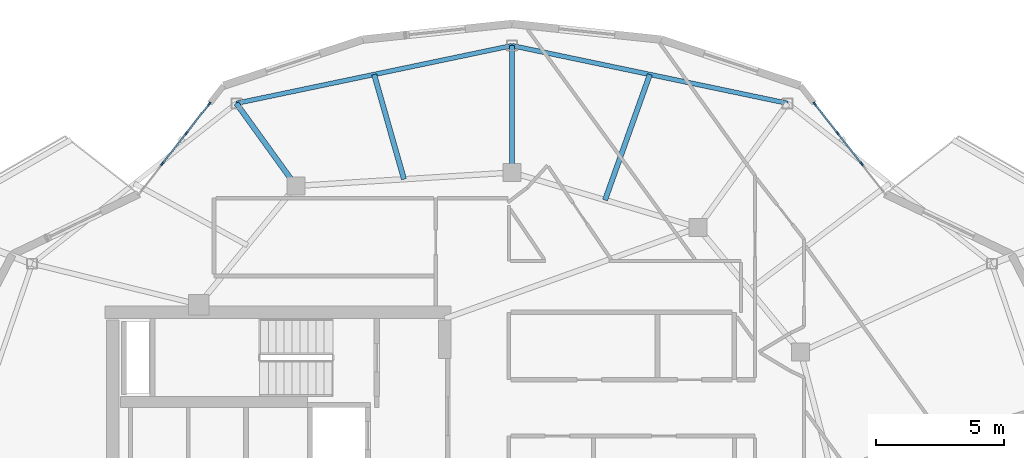
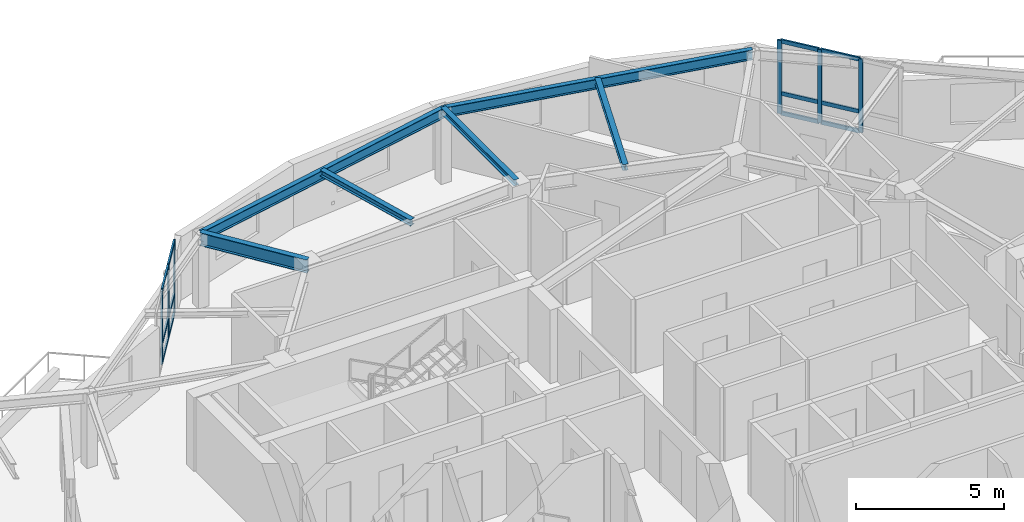
# One storey, part 5 of 14: 18 members, 6 beams, 2 elements without a shape of their own.
"""IFC4 building model written with IfcOpenShell, lengths in metres."""

from ifc_helpers import new_model, si_unit, direction, frame, origin, origin_2d, place, context, subcontext, project, spatial, rectangle, i_section, extrude, material, layer, layer_set, material_profile, profile_set, type_object, element, aggregate, save


model = new_model("IFC4")

# Units and contexts
model_context = context("Model", 3, precision=1e-05, world=origin(), true_north=direction((0.0, 1.0)))
body_context = subcontext(model_context, "Body", "Model", "MODEL_VIEW")
ifc_project = project(units=[si_unit("LENGTHUNIT", "METRE"), si_unit("AREAUNIT", "SQUARE_METRE"), si_unit("VOLUMEUNIT", "CUBIC_METRE"), si_unit("PLANEANGLEUNIT", "RADIAN"), si_unit("MASSUNIT", "GRAM", prefix="KILO")], contexts=[model_context])

# Site, building, storey
site_placement = place(None, origin())
site = spatial("IfcSite", under=ifc_project, at=site_placement, CompositionType="ELEMENT")
building_placement = place(site_placement, origin())
building = spatial("IfcBuilding", under=site, at=building_placement, Name="Kolvaren Gate Tower and Convention Centre", CompositionType="ELEMENT")
storey_placement = place(building_placement, frame((0.0, 0.0, 245.89990234375)))
storey = spatial("IfcBuildingStorey", under=building, at=storey_placement, Name="L66", CompositionType="ELEMENT", Elevation=245.89990234375)

# Curtain wall, members
ifc_material_1 = material(Name="Anodized Architectural Aluminium Alloy 6063-T6", Category="aluminium")
ifc_layer = layer(ifc_material_1, 0.159912109375)
ifc_layer_set = layer_set([ifc_layer], Name="Anodized Architectural Aluminium Alloy 6063-T6")
curtain_wall_type = type_object("IfcCurtainWallType", Name="CW-RES-UNIT", PredefinedType="NOTDEFINED", material=ifc_layer_set)
curtain_wall_1_placement = place(storey_placement, origin())
curtain_wall_1 = element("IfcCurtainWall", 1, at=curtain_wall_1_placement, inside=storey, type_object=curtain_wall_type, Name="Tower L66 Unitised Curtain Wall CW-RES-UNIT Bay 03", PredefinedType="NOTDEFINED")
ifc_material_profile_1 = material_profile(ifc_material_1, rectangle(XDim=0.06494140625, YDim=0.159912109375, at=origin_2d()), Name="CW-MEM-MUL-160")
ifc_profile_set_1 = profile_set([ifc_material_profile_1], Name="Anodized Architectural Aluminium Alloy 6063-T6")
member_type_1 = type_object("IfcMemberType", Name="CW-MEM-MUL-160", PredefinedType="MULLION", material=ifc_profile_set_1)
member_1_placement = place(storey_placement, frame((41.93505859375, 41.873046875, 0.0), z_axis=(0.0, 0.0, 1.0), x_axis=(0.787402801606, 0.616438827479, 0.0)))
member_1 = element("IfcMember", 2, at=member_1_placement, type_object=member_type_1, Name="CW-04 mullion 1", PredefinedType="MULLION", context=body_context, shape_type="SweptSolid", body=[
    extrude(rectangle(XDim=0.06494140625, YDim=0.159912109375, at=origin_2d()), origin(), (0.0, 0.0, 1.0), 3.030029296875),
])
member_2_placement = place(storey_placement, frame((42.835693359375, 40.72265625, 0.0), z_axis=(0.0, 0.0, 1.0), x_axis=(0.787402801606, 0.616438827479, 0.0)))
member_2 = element("IfcMember", 3, at=member_2_placement, type_object=member_type_1, Name="CW-04 mullion 2", PredefinedType="MULLION", context=body_context, shape_type="SweptSolid", body=[
    extrude(rectangle(XDim=0.06494140625, YDim=0.159912109375, at=origin_2d()), origin(), (0.0, 0.0, 1.0), 3.030029296875),
])
member_3_placement = place(storey_placement, frame((43.756591796875, 39.54638671875, 0.0), z_axis=(0.0, 0.0, 1.0), x_axis=(0.787402801606, 0.616438827479, 0.0)))
member_3 = element("IfcMember", 4, at=member_3_placement, type_object=member_type_1, Name="CW-04 mullion 3", PredefinedType="MULLION", context=body_context, shape_type="SweptSolid", body=[
    extrude(rectangle(XDim=0.06494140625, YDim=0.159912109375, at=origin_2d()), origin(), (0.0, 0.0, 1.0), 3.030029296875),
])

curtain_wall_2_placement = place(storey_placement, origin())
curtain_wall_2 = element("IfcCurtainWall", 5, at=curtain_wall_2_placement, inside=storey, type_object=curtain_wall_type, Name="Tower L66 Unitised Curtain Wall CW-RES-UNIT Bay 08", PredefinedType="NOTDEFINED")
member_4_placement = place(storey_placement, frame((16.493408203125, 39.54638671875, 0.0), z_axis=(0.0, 0.0, 1.0), x_axis=(-0.787413633564, 0.61642499112, 0.0)))
member_4 = element("IfcMember", 6, at=member_4_placement, type_object=member_type_1, Name="CW-04 mullion 2", PredefinedType="MULLION", context=body_context, shape_type="SweptSolid", body=[
    extrude(rectangle(XDim=0.06494140625, YDim=0.159912109375, at=origin_2d()), origin(), (0.0, 0.0, 1.0), 3.030029296875),
])
member_5_placement = place(storey_placement, frame((17.4140625, 40.72265625, 0.0), z_axis=(0.0, 0.0, 1.0), x_axis=(-0.787413633564, 0.61642499112, 0.0)))
member_5 = element("IfcMember", 7, at=member_5_placement, type_object=member_type_1, Name="CW-04 mullion 3", PredefinedType="MULLION", context=body_context, shape_type="SweptSolid", body=[
    extrude(rectangle(XDim=0.06494140625, YDim=0.159912109375, at=origin_2d()), origin(), (0.0, 0.0, 1.0), 3.030029296875),
])
member_6_placement = place(storey_placement, frame((18.31494140625, 41.873046875, 0.0), z_axis=(0.0, 0.0, 1.0), x_axis=(-0.787413633564, 0.61642499112, 0.0)))
member_6 = element("IfcMember", 8, at=member_6_placement, type_object=member_type_1, Name="CW-04 mullion 4", PredefinedType="MULLION", context=body_context, shape_type="SweptSolid", body=[
    extrude(rectangle(XDim=0.06494140625, YDim=0.159912109375, at=origin_2d()), origin(), (0.0, 0.0, 1.0), 3.030029296875),
])

# Member
ifc_material_profile_2 = material_profile(ifc_material_1, rectangle(XDim=0.06494140625, YDim=0.159912109375, at=origin_2d()), Name="CW-MEM-TRN-160")
ifc_profile_set_2 = profile_set([ifc_material_profile_2], Name="Anodized Architectural Aluminium Alloy 6063-T6")
member_type_2 = type_object("IfcMemberType", Name="CW-MEM-TRN-160", PredefinedType="USERDEFINED", material=ifc_profile_set_2)
member_7_placement = place(storey_placement, frame((41.955078125, 41.847412109375, 0.03271484375), z_axis=(0.616407273095, -0.787427503758, 0.0), x_axis=(0.787427503758, 0.616407273095, 0.0)))
member_7 = element("IfcMember", 9, at=member_7_placement, type_object=member_type_2, Name="CW-04 transom 1.1", ObjectType="TRANSOM", PredefinedType="USERDEFINED", context=body_context, shape_type="SweptSolid", body=[
    extrude(rectangle(XDim=0.06494140625, YDim=0.159912109375, at=origin_2d()), origin(), (0.0, 0.0, 1.0), 1.396240234375),
])

member_8_placement = place(storey_placement, frame((41.955078125, 41.847412109375, 0.85009765625), z_axis=(0.616407273095, -0.787427503758, 0.0), x_axis=(0.787427503758, 0.616407273095, 0.0)))
member_8 = element("IfcMember", 10, at=member_8_placement, type_object=member_type_2, Name="CW-04 transom 1.2", ObjectType="TRANSOM", PredefinedType="USERDEFINED", context=body_context, shape_type="SweptSolid", body=[
    extrude(rectangle(XDim=0.06494140625, YDim=0.159912109375, at=origin_2d()), origin(), (0.0, 0.0, 1.0), 1.396240234375),
])

member_9_placement = place(storey_placement, frame((41.955078125, 41.847412109375, 2.99755859375), z_axis=(0.616407273095, -0.787427503758, 0.0), x_axis=(0.787427503758, 0.616407273095, 0.0)))
member_9 = element("IfcMember", 11, at=member_9_placement, type_object=member_type_2, Name="CW-04 transom 1.3", ObjectType="TRANSOM", PredefinedType="USERDEFINED", context=body_context, shape_type="SweptSolid", body=[
    extrude(rectangle(XDim=0.06494140625, YDim=0.159912109375, at=origin_2d()), origin(), (0.0, 0.0, 1.0), 1.396240234375),
])

member_10_placement = place(storey_placement, frame((42.855712890625, 40.697021484375, 0.03271484375), z_axis=(0.616492534069, -0.787360753046, 0.0), x_axis=(0.787360753046, 0.616492534069, 0.0)))
member_10 = element("IfcMember", 12, at=member_10_placement, type_object=member_type_2, Name="CW-04 transom 2.1", ObjectType="TRANSOM", PredefinedType="USERDEFINED", context=body_context, shape_type="SweptSolid", body=[
    extrude(rectangle(XDim=0.06494140625, YDim=0.159912109375, at=origin_2d()), origin(), (0.0, 0.0, 1.0), 1.4287109375),
])

member_11_placement = place(storey_placement, frame((42.855712890625, 40.697021484375, 0.85009765625), z_axis=(0.616492534069, -0.787360753046, 0.0), x_axis=(0.787360753046, 0.616492534069, 0.0)))
member_11 = element("IfcMember", 13, at=member_11_placement, type_object=member_type_2, Name="CW-04 transom 2.2", ObjectType="TRANSOM", PredefinedType="USERDEFINED", context=body_context, shape_type="SweptSolid", body=[
    extrude(rectangle(XDim=0.06494140625, YDim=0.159912109375, at=origin_2d()), origin(), (0.0, 0.0, 1.0), 1.4287109375),
])

member_12_placement = place(storey_placement, frame((42.855712890625, 40.697021484375, 2.99755859375), z_axis=(0.616492534069, -0.787360753046, 0.0), x_axis=(0.787360753046, 0.616492534069, 0.0)))
member_12 = element("IfcMember", 14, at=member_12_placement, type_object=member_type_2, Name="CW-04 transom 2.3", ObjectType="TRANSOM", PredefinedType="USERDEFINED", context=body_context, shape_type="SweptSolid", body=[
    extrude(rectangle(XDim=0.06494140625, YDim=0.159912109375, at=origin_2d()), origin(), (0.0, 0.0, 1.0), 1.4287109375),
])

aggregate(curtain_wall_1, [member_1, member_2, member_3, member_7, member_8, member_9, member_10, member_11, member_12])

member_13_placement = place(storey_placement, frame((16.513427734375, 39.572021484375, 0.03271484375), z_axis=(0.616386589807, 0.787443694436, 0.0), x_axis=(-0.787443694436, 0.616386589807, 0.0)))
member_13 = element("IfcMember", 15, at=member_13_placement, type_object=member_type_2, Name="CW-04 transom 2.1", ObjectType="TRANSOM", PredefinedType="USERDEFINED", context=body_context, shape_type="SweptSolid", body=[
    extrude(rectangle(XDim=0.06494140625, YDim=0.159912109375, at=origin_2d()), origin(), (0.0, 0.0, 1.0), 1.4287109375),
])

member_14_placement = place(storey_placement, frame((16.513427734375, 39.572021484375, 0.85009765625), z_axis=(0.616386589807, 0.787443694436, 0.0), x_axis=(-0.787443694436, 0.616386589807, 0.0)))
member_14 = element("IfcMember", 16, at=member_14_placement, type_object=member_type_2, Name="CW-04 transom 2.2", ObjectType="TRANSOM", PredefinedType="USERDEFINED", context=body_context, shape_type="SweptSolid", body=[
    extrude(rectangle(XDim=0.06494140625, YDim=0.159912109375, at=origin_2d()), origin(), (0.0, 0.0, 1.0), 1.4287109375),
])

member_15_placement = place(storey_placement, frame((16.513427734375, 39.572021484375, 2.99755859375), z_axis=(0.616386589807, 0.787443694436, 0.0), x_axis=(-0.787443694436, 0.616386589807, 0.0)))
member_15 = element("IfcMember", 17, at=member_15_placement, type_object=member_type_2, Name="CW-04 transom 2.3", ObjectType="TRANSOM", PredefinedType="USERDEFINED", context=body_context, shape_type="SweptSolid", body=[
    extrude(rectangle(XDim=0.06494140625, YDim=0.159912109375, at=origin_2d()), origin(), (0.0, 0.0, 1.0), 1.4287109375),
])

member_16_placement = place(storey_placement, frame((17.43408203125, 40.748046875, 0.03271484375), z_axis=(0.616515680657, 0.787342629041, 0.0), x_axis=(-0.787342629041, 0.616515680657, 0.0)))
member_16 = element("IfcMember", 18, at=member_16_placement, type_object=member_type_2, Name="CW-04 transom 3.1", ObjectType="TRANSOM", PredefinedType="USERDEFINED", context=body_context, shape_type="SweptSolid", body=[
    extrude(rectangle(XDim=0.06494140625, YDim=0.159912109375, at=origin_2d()), origin(), (0.0, 0.0, 1.0), 1.396240234375),
])

member_17_placement = place(storey_placement, frame((17.43408203125, 40.748046875, 0.85009765625), z_axis=(0.616515680657, 0.787342629041, 0.0), x_axis=(-0.787342629041, 0.616515680657, 0.0)))
member_17 = element("IfcMember", 19, at=member_17_placement, type_object=member_type_2, Name="CW-04 transom 3.2", ObjectType="TRANSOM", PredefinedType="USERDEFINED", context=body_context, shape_type="SweptSolid", body=[
    extrude(rectangle(XDim=0.06494140625, YDim=0.159912109375, at=origin_2d()), origin(), (0.0, 0.0, 1.0), 1.396240234375),
])

member_18_placement = place(storey_placement, frame((17.43408203125, 40.748046875, 2.99755859375), z_axis=(0.616515680657, 0.787342629041, 0.0), x_axis=(-0.787342629041, 0.616515680657, 0.0)))
member_18 = element("IfcMember", 20, at=member_18_placement, type_object=member_type_2, Name="CW-04 transom 3.3", ObjectType="TRANSOM", PredefinedType="USERDEFINED", context=body_context, shape_type="SweptSolid", body=[
    extrude(rectangle(XDim=0.06494140625, YDim=0.159912109375, at=origin_2d()), origin(), (0.0, 0.0, 1.0), 1.396240234375),
])

aggregate(curtain_wall_2, [member_4, member_5, member_6, member_13, member_14, member_15, member_16, member_17, member_18])

# Beams
ifc_material_2 = material(Name="Structural steel ASTM A992 Grade 345 MPa", Category="steel")
ifc_material_profile_3 = material_profile(ifc_material_2, i_section(OverallWidth=0.2119140625, OverallDepth=0.5439453125, WebThickness=0.01318359375, FlangeThickness=0.021240234375, at=origin_2d()), Name="W530X123")
ifc_profile_set_3 = profile_set([ifc_material_profile_3], Name="Structural steel ASTM A992 Grade 345 MPa")
beam_type_1 = type_object("IfcBeamType", Name="STR-BM-W530X123", PredefinedType="BEAM", material=ifc_profile_set_3)
beam_1_placement = place(storey_placement, frame((21.697998046875, 38.6767578125, 2.758056640625), z_axis=(-0.585223600457, 0.810871961205, 0.0), x_axis=(-0.810871961205, -0.585223600457, 0.0)))
element("IfcBeam", 21, at=beam_1_placement, inside=storey, type_object=beam_type_1, Name="Tower L66 Radial Floor Girder RB-05", PredefinedType="BEAM", context=body_context, shape_type="SweptSolid", body=[
    extrude(i_section(OverallWidth=0.2119140625, OverallDepth=0.5439453125, WebThickness=0.01318359375, FlangeThickness=0.021240234375, at=origin_2d()), origin(), (0.0, 0.0, 1.0), 3.97412109375),
])
ifc_material_profile_4 = material_profile(ifc_material_2, i_section(OverallWidth=0.202880859375, OverallDepth=0.251953125, WebThickness=0.008056640625, FlangeThickness=0.013427734375, at=origin_2d()), Name="W250X58")
ifc_profile_set_4 = profile_set([ifc_material_profile_4], Name="Structural steel ASTM A992 Grade 345 MPa")
beam_type_2 = type_object("IfcBeamType", Name="STR-JS-W250X58", PredefinedType="JOIST", material=ifc_profile_set_4)
beam_2_placement = place(storey_placement, frame((30.125, 39.199951171875, 2.904052734375), z_axis=(0.0, 1.0, 0.0), x_axis=(-1.0, 0.0, 0.0)))
element("IfcBeam", 22, at=beam_2_placement, inside=storey, type_object=beam_type_2, Name="Tower L66 Radial Floor Girder RB-04", PredefinedType="JOIST", context=body_context, shape_type="SweptSolid", body=[
    extrude(i_section(OverallWidth=0.202880859375, OverallDepth=0.251953125, WebThickness=0.008056640625, FlangeThickness=0.013427734375, at=origin_2d()), origin(), (0.0, 0.0, 1.0), 4.949951171875),
])
beam_3_placement = place(storey_placement, frame((33.75341796875, 38.12744140625, 2.904052734375), z_axis=(0.336131158814, 0.941815185731, 0.0), x_axis=(-0.941815185731, 0.336131158814, 0.0)))
element("IfcBeam", 23, at=beam_3_placement, inside=storey, type_object=beam_type_2, Name="Tower L66 Secondary Composite Floor Joist J-03.1", PredefinedType="JOIST", context=body_context, shape_type="SweptSolid", body=[
    extrude(i_section(OverallWidth=0.202880859375, OverallDepth=0.251953125, WebThickness=0.008056640625, FlangeThickness=0.013427734375, at=origin_2d()), origin(), (0.0, 0.0, 1.0), 5.19970703125),
])
beam_4_placement = place(storey_placement, frame((25.91162109375, 38.938232421875, 2.904052734375), z_axis=(-0.273696395326, 0.961816137932, 0.0), x_axis=(-0.961816137932, -0.273696395326, 0.0)))
element("IfcBeam", 24, at=beam_4_placement, inside=storey, type_object=beam_type_2, Name="Tower L66 Secondary Composite Floor Joist J-04.1", PredefinedType="JOIST", context=body_context, shape_type="SweptSolid", body=[
    extrude(i_section(OverallWidth=0.202880859375, OverallDepth=0.251953125, WebThickness=0.008056640625, FlangeThickness=0.013427734375, at=origin_2d()), origin(), (0.0, 0.0, 1.0), 4.24853515625),
])
ifc_material_profile_5 = material_profile(ifc_material_2, i_section(OverallWidth=0.180908203125, OverallDepth=0.4169921875, WebThickness=0.010986328125, FlangeThickness=0.018310546875, at=origin_2d()), Name="W410X85")
ifc_profile_set_5 = profile_set([ifc_material_profile_5], Name="Structural steel ASTM A992 Grade 345 MPa")
beam_type_3 = type_object("IfcBeamType", Name="STR-SP-W410X85", PredefinedType="SPANDREL", material=ifc_profile_set_5)
for number, where, z_axis, x_axis, name in (
    (25, (40.877685546875, 41.899169921875, 2.821533203125), (-0.97878751616, 0.204878008117, 0.0), (-0.204878008117, -0.97878751616, 0.0), "Tower L66 Perimeter Spandrel Beam SP-03"),
    (26, (30.125, 44.14990234375, 2.821533203125), (-0.97878751616, -0.204878008117, 0.0), (0.204878008117, -0.97878751616, 0.0), "Tower L66 Perimeter Spandrel Beam SP-04"),
):
    element("IfcBeam", number, at=place(storey_placement, frame(where, z_axis=z_axis, x_axis=x_axis)), inside=storey, type_object=beam_type_3, Name=name, PredefinedType="SPANDREL", context=body_context, shape_type="SweptSolid", body=[
        extrude(i_section(OverallWidth=0.180908203125, OverallDepth=0.4169921875, WebThickness=0.010986328125, FlangeThickness=0.018310546875, at=origin_2d()), origin(), (0.0, 0.0, 1.0), 10.98583984375),
    ])

save(model, "model.ifc")
